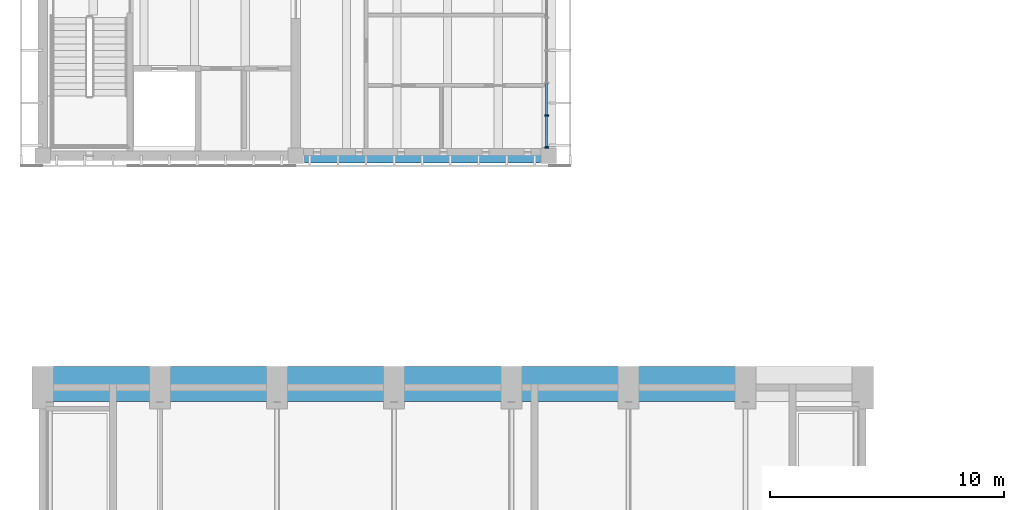
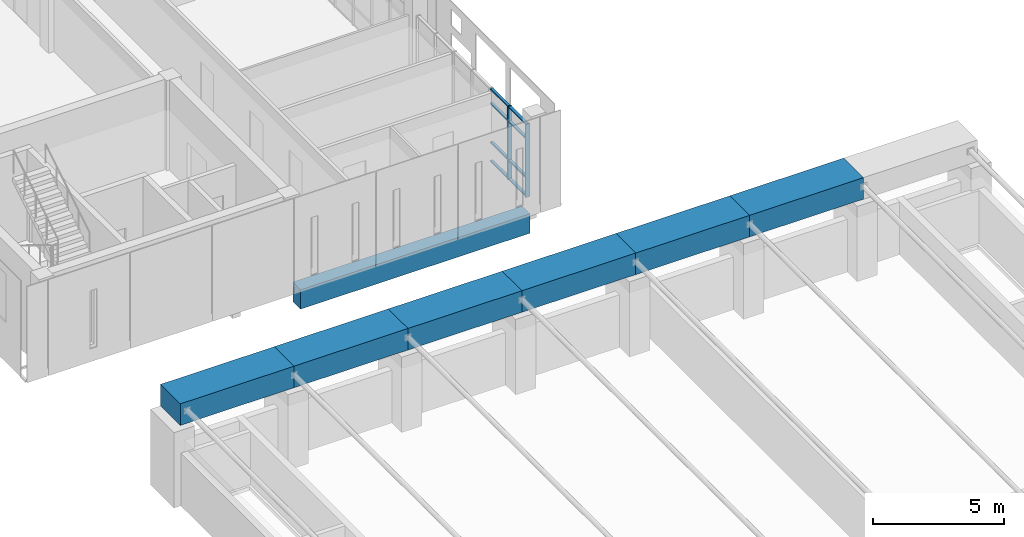
# One storey, part 6 of 92: 10 members, 7 beams, 1 element without a shape of its own.
"""IFC4 building model written with IfcOpenShell, lengths in metres."""

from ifc_helpers import new_model, si_unit, direction, frame, origin, origin_2d, place, context, subcontext, project, spatial, rectangle, extrude, material, material_profile, profile_set, type_object, element, aggregate, save


model = new_model("IFC4")

# Units and contexts
model_context = context("Model", 3, precision=1e-05, world=origin(), true_north=direction((0.0, 1.0)))
body_context = subcontext(model_context, "Body", "Model", "MODEL_VIEW")
ifc_project = project(units=[si_unit("LENGTHUNIT", "METRE"), si_unit("AREAUNIT", "SQUARE_METRE"), si_unit("VOLUMEUNIT", "CUBIC_METRE"), si_unit("PLANEANGLEUNIT", "RADIAN"), si_unit("MASSUNIT", "GRAM", prefix="KILO")], contexts=[model_context])

# Site, building, storey
site_placement = place(None, origin())
site = spatial("IfcSite", under=ifc_project, at=site_placement, CompositionType="ELEMENT")
building_placement = place(site_placement, origin())
building = spatial("IfcBuilding", under=site, at=building_placement, Name="Merrow Basin Faculty of Sciences", CompositionType="ELEMENT")
storey_placement = place(building_placement, frame((0.0, 0.0, 4.5)))
storey = spatial("IfcBuildingStorey", under=building, at=storey_placement, Name="L01", CompositionType="ELEMENT", Elevation=4.5)

# Curtain wall, members
ifc_material_1 = material(Name="Aluminium alloy 6063", Category="aluminium")
curtain_wall_type = type_object("IfcCurtainWallType", Name="Bar unitised curtain wall 180", PredefinedType="NOTDEFINED", material=ifc_material_1)
curtain_wall_placement = place(storey_placement, origin())
curtain_wall = element("IfcCurtainWall", 1, at=curtain_wall_placement, inside=storey, type_object=curtain_wall_type, Name="East curtain wall L01 1", PredefinedType="NOTDEFINED")
ifc_material_2 = material(Name="Aluminium alloy 6063", Category="aluminium")
ifc_material_profile_1 = material_profile(ifc_material_2, rectangle(XDim=0.179931640625, YDim=0.06005859375, at=origin_2d()))
ifc_profile_set_1 = profile_set([ifc_material_profile_1], Name="Aluminium alloy 6063")
member_type_1 = type_object("IfcMemberType", Name="Aluminium mullion 60x180", PredefinedType="MULLION", material=ifc_profile_set_1)
member_1_placement = place(storey_placement, frame((21.510009765625, 61.35498046875, 0.0), z_axis=(0.0, 0.0, 1.0), x_axis=(-1.0, 0.0, 0.0)))
member_1 = element("IfcMember", 2, at=member_1_placement, type_object=member_type_1, Name="CW1 mullion 1", PredefinedType="MULLION", context=body_context, shape_type="SweptSolid", body=[
    extrude(rectangle(XDim=0.179931640625, YDim=0.06005859375, at=origin_2d()), origin(), (0.0, 0.0, 1.0), 3.39990234375),
])
member_2_placement = place(storey_placement, frame((21.510009765625, 62.716552734375, 0.0), z_axis=(0.0, 0.0, 1.0), x_axis=(-1.0, 0.0, 0.0)))
member_2 = element("IfcMember", 3, at=member_2_placement, type_object=member_type_1, Name="CW1 mullion 2", PredefinedType="MULLION", context=body_context, shape_type="SweptSolid", body=[
    extrude(rectangle(XDim=0.179931640625, YDim=0.06005859375, at=origin_2d()), origin(), (0.0, 0.0, 1.0), 3.39990234375),
])
ifc_material_3 = material(Name="Aluminium alloy 6063", Category="aluminium")
ifc_material_profile_2 = material_profile(ifc_material_3, rectangle(XDim=0.1201171875, YDim=0.06005859375, at=origin_2d()))
ifc_profile_set_2 = profile_set([ifc_material_profile_2], Name="Aluminium alloy 6063")
member_type_2 = type_object("IfcMemberType", Name="Aluminium transom 60x120", PredefinedType="USERDEFINED", material=ifc_profile_set_2)
member_3_placement = place(storey_placement, frame((21.510009765625, 61.385009765625, 0.030029296875), z_axis=(0.0, 1.0, 0.0), x_axis=(-1.0, 0.0, 0.0)))
member_3 = element("IfcMember", 4, at=member_3_placement, type_object=member_type_2, Name="CW1 transom 1.1", ObjectType="TRANSOM", PredefinedType="USERDEFINED", context=body_context, shape_type="SweptSolid", body=[
    extrude(rectangle(XDim=0.1201171875, YDim=0.06005859375, at=origin_2d()), origin(), (0.0, 0.0, 1.0), 1.3017578125),
])
member_4_placement = place(storey_placement, frame((21.510009765625, 61.385009765625, 0.89990234375), z_axis=(0.0, 1.0, 0.0), x_axis=(-1.0, 0.0, 0.0)))
member_4 = element("IfcMember", 5, at=member_4_placement, type_object=member_type_2, Name="CW1 transom 1.2", ObjectType="TRANSOM", PredefinedType="USERDEFINED", context=body_context, shape_type="SweptSolid", body=[
    extrude(rectangle(XDim=0.1201171875, YDim=0.06005859375, at=origin_2d()), origin(), (0.0, 0.0, 1.0), 1.3017578125),
])
member_5_placement = place(storey_placement, frame((21.510009765625, 61.385009765625, 2.699951171875), z_axis=(0.0, 1.0, 0.0), x_axis=(-1.0, 0.0, 0.0)))
member_5 = element("IfcMember", 6, at=member_5_placement, type_object=member_type_2, Name="CW1 transom 1.3", ObjectType="TRANSOM", PredefinedType="USERDEFINED", context=body_context, shape_type="SweptSolid", body=[
    extrude(rectangle(XDim=0.1201171875, YDim=0.06005859375, at=origin_2d()), origin(), (0.0, 0.0, 1.0), 1.3017578125),
])
member_6_placement = place(storey_placement, frame((21.510009765625, 61.385009765625, 3.3701171875), z_axis=(0.0, 1.0, 0.0), x_axis=(-1.0, 0.0, 0.0)))
member_6 = element("IfcMember", 7, at=member_6_placement, type_object=member_type_2, Name="CW1 transom 1.4", ObjectType="TRANSOM", PredefinedType="USERDEFINED", context=body_context, shape_type="SweptSolid", body=[
    extrude(rectangle(XDim=0.1201171875, YDim=0.06005859375, at=origin_2d()), origin(), (0.0, 0.0, 1.0), 1.3017578125),
])
member_7_placement = place(storey_placement, frame((21.510009765625, 62.74658203125, 0.030029296875), z_axis=(0.0, 1.0, 0.0), x_axis=(-1.0, 0.0, 0.0)))
member_7 = element("IfcMember", 8, at=member_7_placement, type_object=member_type_2, Name="CW1 transom 2.1", ObjectType="TRANSOM", PredefinedType="USERDEFINED", context=body_context, shape_type="SweptSolid", body=[
    extrude(rectangle(XDim=0.1201171875, YDim=0.06005859375, at=origin_2d()), origin(), (0.0, 0.0, 1.0), 1.331787109375),
])
member_8_placement = place(storey_placement, frame((21.510009765625, 62.74658203125, 0.89990234375), z_axis=(0.0, 1.0, 0.0), x_axis=(-1.0, 0.0, 0.0)))
member_8 = element("IfcMember", 9, at=member_8_placement, type_object=member_type_2, Name="CW1 transom 2.2", ObjectType="TRANSOM", PredefinedType="USERDEFINED", context=body_context, shape_type="SweptSolid", body=[
    extrude(rectangle(XDim=0.1201171875, YDim=0.06005859375, at=origin_2d()), origin(), (0.0, 0.0, 1.0), 1.331787109375),
])
member_9_placement = place(storey_placement, frame((21.510009765625, 62.74658203125, 2.699951171875), z_axis=(0.0, 1.0, 0.0), x_axis=(-1.0, 0.0, 0.0)))
member_9 = element("IfcMember", 10, at=member_9_placement, type_object=member_type_2, Name="CW1 transom 2.3", ObjectType="TRANSOM", PredefinedType="USERDEFINED", context=body_context, shape_type="SweptSolid", body=[
    extrude(rectangle(XDim=0.1201171875, YDim=0.06005859375, at=origin_2d()), origin(), (0.0, 0.0, 1.0), 1.331787109375),
])
member_10_placement = place(storey_placement, frame((21.510009765625, 62.74658203125, 3.3701171875), z_axis=(0.0, 1.0, 0.0), x_axis=(-1.0, 0.0, 0.0)))
member_10 = element("IfcMember", 11, at=member_10_placement, type_object=member_type_2, Name="CW1 transom 2.4", ObjectType="TRANSOM", PredefinedType="USERDEFINED", context=body_context, shape_type="SweptSolid", body=[
    extrude(rectangle(XDim=0.1201171875, YDim=0.06005859375, at=origin_2d()), origin(), (0.0, 0.0, 1.0), 1.331787109375),
])
aggregate(curtain_wall, [member_1, member_2, member_3, member_4, member_5, member_6, member_7, member_8, member_9, member_10])

# Beams
ifc_material_4 = material(Name="Concrete C40/50", Category="concrete")
ifc_material_profile_3 = material_profile(ifc_material_4, rectangle(XDim=0.60009765625, YDim=0.89990234375, at=origin_2d()))
ifc_profile_set_3 = profile_set([ifc_material_profile_3], Name="Concrete C40/50")
beam_type_1 = type_object("IfcBeamType", Name="Beam RC600x900 C40/50", PredefinedType="BEAM", material=ifc_profile_set_3)
beam_placement = place(storey_placement, frame((11.175048828125, 61.0, -0.75), z_axis=(1.0, 0.0, 0.0), x_axis=(0.0, 1.0, 0.0)))
element("IfcBeam", 12, at=beam_placement, inside=storey, type_object=beam_type_1, Name="B1 L01 001", PredefinedType="BEAM", context=body_context, shape_type="SweptSolid", body=[
    extrude(rectangle(XDim=0.60009765625, YDim=0.89990234375, at=origin_2d()), origin(), (0.0, 0.0, 1.0), 10.074951171875),
])
ifc_material_5 = material(Name="Concrete C50/60", Category="concrete")
ifc_material_profile_4 = material_profile(ifc_material_5, rectangle(XDim=1.5, YDim=1.0, at=origin_2d()))
ifc_profile_set_4 = profile_set([ifc_material_profile_4], Name="Concrete C50/60")
beam_type_2 = type_object("IfcBeamType", Name="Edge beam RC1500x1000 C50/60", PredefinedType="BEAM", material=ifc_profile_set_4)
for number, where, z_axis, x_axis, name in (
    (13, (0.0, 51.25, 4.0), (1.0, 0.0, 0.0), (0.0, 1.0, 0.0), "Edge beam N 008"),
    (14, (5.0, 51.25, 4.0), (1.0, 0.0, 0.0), (0.0, 1.0, 0.0), "Edge beam N 009"),
    (15, (10.0, 51.25, 4.0), (1.0, 0.0, 0.0), (0.0, 1.0, 0.0), "Edge beam N 010"),
    (16, (15.0, 51.25, 4.0), (1.0, 0.0, 0.0), (0.0, 1.0, 0.0), "Edge beam N 011"),
    (17, (20.0, 51.25, 4.0), (1.0, 0.0, 0.0), (0.0, 1.0, 0.0), "Edge beam N 012"),
    (18, (25.0, 51.25, 4.0), (1.0, 0.0, 0.0), (0.0, 1.0, 0.0), "Edge beam N 013"),
):
    element("IfcBeam", number, at=place(storey_placement, frame(where, z_axis=z_axis, x_axis=x_axis)), inside=storey, type_object=beam_type_2, Name=name, PredefinedType="BEAM", context=body_context, shape_type="SweptSolid", body=[
        extrude(rectangle(XDim=1.5, YDim=1.0, at=origin_2d()), origin(), (0.0, 0.0, 1.0), 5.0),
    ])

save(model, "model.ifc")
